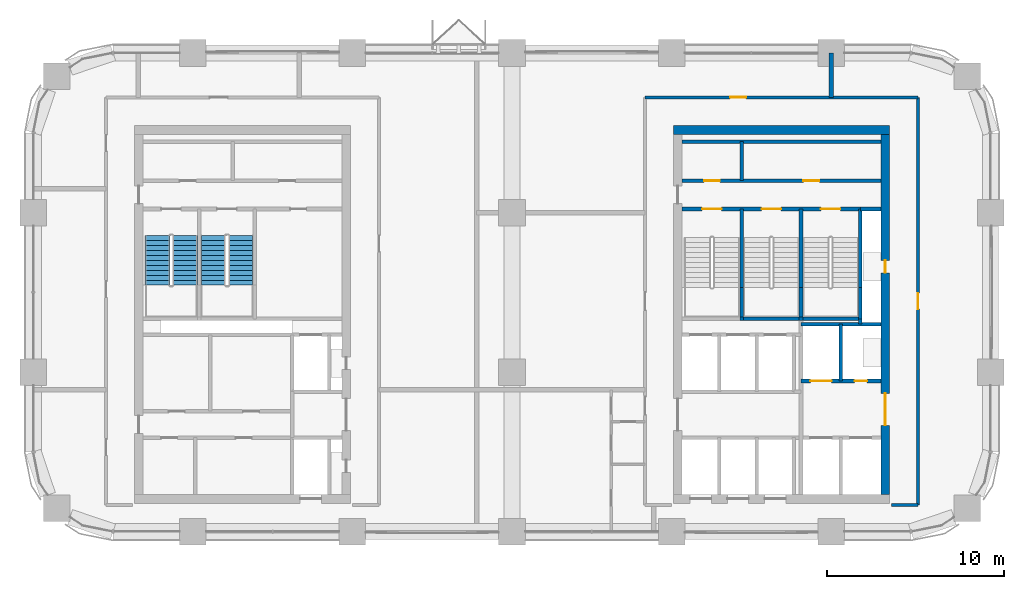
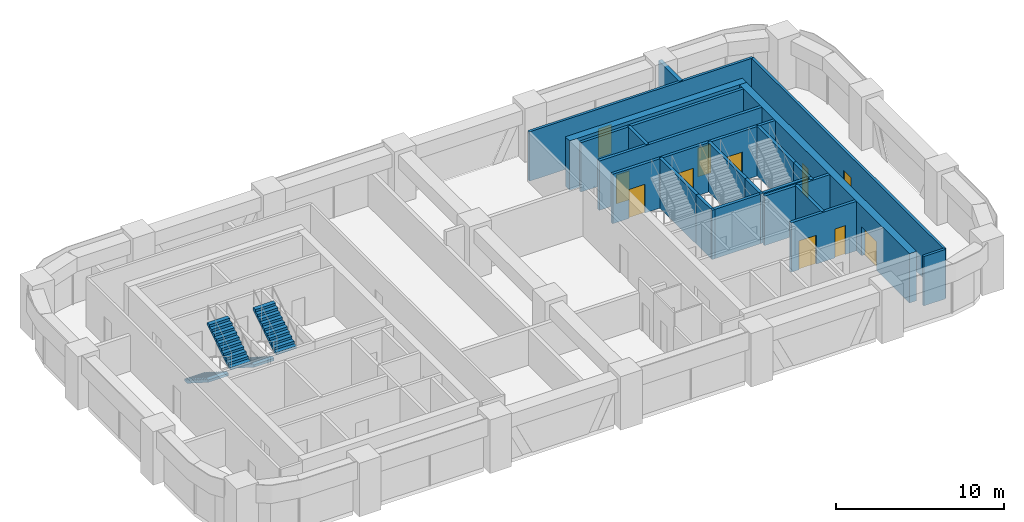
# One storey, part 11 of 14: 25 walls, 11 doors, 4 stair flights, 11 openings, 2 elements without a shape of their own.
"""IFC4 building model written with IfcOpenShell, lengths in metres."""

from ifc_helpers import new_model, si_unit, direction, frame, frame_2d, origin, place, context, subcontext, project, spatial, polyline, rectangle, outline, extrude, material, layer, layer_set, type_object, element, fill, aggregate, save


model = new_model("IFC4")

# Units and contexts
model_context = context("Model", 3, precision=1e-05, world=origin(), true_north=direction((0.0, 1.0)))
body_context = subcontext(model_context, "Body", "Model", "MODEL_VIEW")
ifc_project = project(units=[si_unit("LENGTHUNIT", "METRE"), si_unit("AREAUNIT", "SQUARE_METRE"), si_unit("VOLUMEUNIT", "CUBIC_METRE"), si_unit("PLANEANGLEUNIT", "RADIAN"), si_unit("MASSUNIT", "GRAM", prefix="KILO")], contexts=[model_context])

# Site, building, storey
site_placement = place(None, origin())
site = spatial("IfcSite", under=ifc_project, at=site_placement, CompositionType="ELEMENT")
building_placement = place(site_placement, origin())
building = spatial("IfcBuilding", under=site, at=building_placement, Name="Tessera Arch", CompositionType="ELEMENT")
storey_placement = place(building_placement, frame((0.0, 0.0, 177.800048828125)))
storey = spatial("IfcBuildingStorey", under=building, at=storey_placement, Name="L42", CompositionType="ELEMENT", Elevation=177.800048828125)

# Wall
ifc_material_1 = material(Name="Gypsum board on steel stud", Category="steel")
ifc_layer_1 = layer(ifc_material_1, 0.125)
ifc_layer_set_1 = layer_set([ifc_layer_1], Name="Core partition 125 EI 60")
wall_type_1 = type_object("IfcWallType", Name="Core partition 125 EI 60", PredefinedType="PARTITIONING", material=ifc_layer_set_1)
wall_1_placement = place(storey_placement, frame((39.9599609375, 46.800048828125, 0.0), z_axis=(0.0, 0.0, 1.0), x_axis=(0.0, 1.0, 0.0)))
element("IfcWall", 1, at=wall_1_placement, inside=storey, type_object=wall_type_1, Name="L42 C1 partition wall 5", PredefinedType="PARTITIONING", context=body_context, shape_type="SweptSolid", body=[
    extrude(rectangle(XDim=2.199951171875, YDim=0.199951171875, at=frame_2d((1.10009765625, 0.0))), origin(), (0.0, 0.0, 1.0), 3.599853515625),
])

# Wall, openings, doors
wall_2_placement = place(storey_placement, frame((36.60009765625, 46.800048828125, 0.0), z_axis=(0.0, 0.0, 1.0), x_axis=(1.0, 0.0, 0.0)))
wall_2 = element("IfcWall", 2, at=wall_2_placement, inside=storey, type_object=wall_type_1, Name="L42 C1 partition wall 31", PredefinedType="PARTITIONING", context=body_context, shape_type="SweptSolid", body=[
    extrude(rectangle(XDim=11.199951171875, YDim=0.199951171875, at=frame_2d((5.60009765625, 0.0))), origin(), (0.0, 0.0, 1.0), 3.599853515625),
])
opening_1_placement = place(wall_2_placement, frame((1.22998046875, 0.0, 0.0)))
opening_1 = element("IfcOpeningElement", 3, at=opening_1_placement, cuts=wall_2, Name="Opening L42-C18", PredefinedType="OPENING", context=body_context, shape_type="SweptSolid", body=[
    extrude(rectangle(XDim=0.89990234375, YDim=2.10009765625, at=frame_2d((0.449951171875, 1.050048828125))), frame((0.0, 0.10986328125, 0.0), z_axis=(0.0, -1.0, 0.0), x_axis=(1.0, 0.0, 0.0)), (0.0, 0.0, 1.0), 0.219970703125),
])
opening_2_placement = place(wall_2_placement, frame((6.830078125, 0.0, 0.0)))
opening_2 = element("IfcOpeningElement", 4, at=opening_2_placement, cuts=wall_2, Name="Opening L42-C19", PredefinedType="OPENING", context=body_context, shape_type="SweptSolid", body=[
    extrude(rectangle(XDim=0.89990234375, YDim=2.10009765625, at=frame_2d((0.449951171875, 1.050048828125))), frame((0.0, 0.10986328125, 0.0), z_axis=(0.0, -1.0, 0.0), x_axis=(1.0, 0.0, 0.0)), (0.0, 0.0, 1.0), 0.219970703125),
])
ifc_material_2 = material(Name="Steel door leaf", Category="steel")
door_type_1 = type_object("IfcDoorType", Name="Store door FD30S 900 x 2100", OperationType="SINGLE_SWING_LEFT", PredefinedType="DOOR", material=ifc_material_2)
door_1_placement = place(opening_1_placement, origin())
door_1 = element("IfcDoor", 5, at=door_1_placement, inside=storey, type_object=door_type_1, Name="L42 C1 door 18 C18 type D09", OperationType="SINGLE_SWING_LEFT", OverallHeight=2.10009765625, OverallWidth=0.89990234375, PredefinedType="DOOR", context=body_context, shape_type="SweptSolid", body=[
    extrude(rectangle(XDim=0.89990234375, YDim=2.10009765625, at=frame_2d((0.449951171875, 1.050048828125))), frame((0.0, 0.02490234375, 0.0), z_axis=(0.0, -1.0, 0.0), x_axis=(1.0, 0.0, 0.0)), (0.0, 0.0, 1.0), 0.050048828125),
])
fill(opening_1, door_1)
door_2_placement = place(opening_2_placement, origin())
door_2 = element("IfcDoor", 6, at=door_2_placement, inside=storey, type_object=door_type_1, Name="L42 C1 door 19 C19 type D09", OperationType="SINGLE_SWING_RIGHT", OverallHeight=2.10009765625, OverallWidth=0.89990234375, PredefinedType="DOOR", context=body_context, shape_type="SweptSolid", body=[
    extrude(rectangle(XDim=0.89990234375, YDim=2.10009765625, at=frame_2d((0.449951171875, 1.050048828125))), frame((0.0, 0.02490234375, 0.0), z_axis=(0.0, -1.0, 0.0), x_axis=(1.0, 0.0, 0.0)), (0.0, 0.0, 1.0), 0.050048828125),
])
fill(opening_2, door_2)

# Walls
wall_3_placement = place(storey_placement, frame((36.60009765625, 49.0, 0.0), z_axis=(0.0, 0.0, 1.0), x_axis=(1.0, 0.0, 0.0)))
element("IfcWall", 7, at=wall_3_placement, inside=storey, type_object=wall_type_1, Name="L42 C1 partition wall 32", PredefinedType="PARTITIONING", context=body_context, shape_type="SweptSolid", body=[
    extrude(rectangle(XDim=11.199951171875, YDim=0.199951171875, at=frame_2d((5.60009765625, 0.0))), origin(), (0.0, 0.0, 1.0), 3.599853515625),
])
ifc_material_3 = material(Name="Concrete C60/75", Category="concrete")
ifc_layer_2 = layer(ifc_material_3, 0.5)
ifc_layer_set_2 = layer_set([ifc_layer_2], Name="Core shell wall 500 C60-75")
wall_type_2 = type_object("IfcWallType", Name="Core shell wall 500 C60-75", PredefinedType="SHEAR", material=ifc_layer_set_2)
wall_4_placement = place(storey_placement, frame((36.10009765625, 49.64990234375, 0.0), z_axis=(0.0, 0.0, 1.0), x_axis=(1.0, 0.0, 0.0)))
element("IfcWall", 8, at=wall_4_placement, inside=storey, type_object=wall_type_2, Name="L42 C1 core wall N", PredefinedType="SHEAR", context=body_context, shape_type="SweptSolid", body=[
    extrude(rectangle(XDim=12.199951171875, YDim=0.5, at=frame_2d((6.10009765625, 0.0))), origin(), (0.0, 0.0, 1.0), 3.599853515625),
])

# Wall, openings, doors
wall_5_placement = place(storey_placement, frame((48.050048828125, 29.10009765625, 0.0), z_axis=(0.0, 0.0, 1.0), x_axis=(0.0, 1.0, 0.0)))
wall_5 = element("IfcWall", 9, at=wall_5_placement, inside=storey, type_object=wall_type_2, Name="L42 C1 core wall E", PredefinedType="SHEAR", context=body_context, shape_type="SweptSolid", body=[
    extrude(rectangle(XDim=20.2998046875, YDim=0.5, at=frame_2d((10.14990234375, 0.0))), origin(), (0.0, 0.0, 1.0), 3.599853515625),
])
opening_3_placement = place(wall_5_placement, frame((12.5, 0.0, 0.0)))
opening_3 = element("IfcOpeningElement", 10, at=opening_3_placement, cuts=wall_5, Name="Opening L42-C14", PredefinedType="OPENING", context=body_context, shape_type="SweptSolid", body=[
    extrude(rectangle(XDim=0.699951171875, YDim=2.10009765625, at=frame_2d((0.35009765625, 1.050048828125))), frame((0.0, 0.260009765625, 0.0), z_axis=(0.0, -1.0, 0.0), x_axis=(1.0, 0.0, 0.0)), (0.0, 0.0, 1.0), 0.52001953125),
])
opening_4_placement = place(wall_5_placement, frame((3.89990234375, 0.0, 0.0)))
opening_4 = element("IfcOpeningElement", 11, at=opening_4_placement, cuts=wall_5, Name="Opening L42-C15", PredefinedType="OPENING", context=body_context, shape_type="SweptSolid", body=[
    extrude(rectangle(XDim=1.800048828125, YDim=2.10009765625, at=frame_2d((0.89990234375, 1.050048828125))), frame((0.0, 0.260009765625, 0.0), z_axis=(0.0, -1.0, 0.0), x_axis=(1.0, 0.0, 0.0)), (0.0, 0.0, 1.0), 0.52001953125),
])
ifc_material_4 = material(Name="Glazed steel door leaf", Category="steel")
door_type_2 = type_object("IfcDoorType", Name="Lobby double door FD60 1800 x 2100", OperationType="DOUBLE_DOOR_SINGLE_SWING", PredefinedType="DOOR", material=ifc_material_4)
door_3_placement = place(opening_4_placement, origin())
door_3 = element("IfcDoor", 12, at=door_3_placement, inside=storey, type_object=door_type_2, Name="L42 C1 door 15 C15 type D19", OperationType="DOUBLE_DOOR_SINGLE_SWING", OverallHeight=2.10009765625, OverallWidth=1.800048828125, PredefinedType="DOOR", context=body_context, shape_type="SweptSolid", body=[
    extrude(rectangle(XDim=1.800048828125, YDim=2.10009765625, at=frame_2d((0.89990234375, 1.050048828125))), frame((0.0, 0.02490234375, 0.0), z_axis=(0.0, -1.0, 0.0), x_axis=(1.0, 0.0, 0.0)), (0.0, 0.0, 1.0), 0.050048828125),
])
fill(opening_4, door_3)
ifc_material_5 = material(Name="Steel door leaf", Category="steel")
door_type_3 = type_object("IfcDoorType", Name="Service shaft door FD60 700 x 2100", OperationType="SINGLE_SWING_LEFT", PredefinedType="DOOR", material=ifc_material_5)
door_4_placement = place(opening_3_placement, origin())
door_4 = element("IfcDoor", 13, at=door_4_placement, inside=storey, type_object=door_type_3, Name="L42 C1 door 14 C14 type D07", OperationType="SINGLE_SWING_RIGHT", OverallHeight=2.10009765625, OverallWidth=0.699951171875, PredefinedType="DOOR", context=body_context, shape_type="SweptSolid", body=[
    extrude(rectangle(XDim=0.699951171875, YDim=2.10009765625, at=frame_2d((0.35009765625, 1.050048828125))), frame((0.0, 0.02490234375, 0.0), z_axis=(0.0, -1.0, 0.0), x_axis=(1.0, 0.0, 0.0)), (0.0, 0.0, 1.0), 0.050048828125),
])
fill(opening_3, door_4)

# Wall
ifc_material_6 = material(Name="Gypsum board on deep steel stud with mineral wool", Category="steel")
ifc_layer_3 = layer(ifc_material_6, 0.175048828125)
ifc_layer_set_3 = layer_set([ifc_layer_3], Name="Corridor wall 175 EI 60")
wall_type_3 = type_object("IfcWallType", Name="Corridor wall 175 EI 60", PredefinedType="PARTITIONING", material=ifc_layer_set_3)
wall_6_placement = place(storey_placement, frame((48.39990234375, 28.5, 0.0), z_axis=(0.0, 0.0, 1.0), x_axis=(1.0, 0.0, 0.0)))
element("IfcWall", 14, at=wall_6_placement, inside=storey, type_object=wall_type_3, Name="L42 partition 4", PredefinedType="PARTITIONING", context=body_context, shape_type="SweptSolid", body=[
    extrude(rectangle(XDim=1.5, YDim=0.175048828125, at=frame_2d((0.75, 0.0))), origin(), (0.0, 0.0, 1.0), 3.599853515625),
])

# Wall, opening, door
wall_7_placement = place(storey_placement, frame((34.5, 51.5, 0.0), z_axis=(0.0, 0.0, 1.0), x_axis=(1.0, 0.0, 0.0)))
wall_7 = element("IfcWall", 15, at=wall_7_placement, inside=storey, type_object=wall_type_3, Name="L42 partition 6", PredefinedType="PARTITIONING", context=body_context, shape_type="SweptSolid", body=[
    extrude(rectangle(XDim=15.39990234375, YDim=0.175048828125, at=frame_2d((7.699951171875, 0.0))), origin(), (0.0, 0.0, 1.0), 3.599853515625),
])
opening_5_placement = place(wall_7_placement, frame((4.800048828125, 0.0, 0.0)))
opening_5 = element("IfcOpeningElement", 16, at=opening_5_placement, cuts=wall_7, Name="Opening L42-D012", PredefinedType="OPENING", context=body_context, shape_type="SweptSolid", body=[
    extrude(rectangle(XDim=0.89990234375, YDim=2.10009765625, at=frame_2d((0.449951171875, 1.050048828125))), frame((0.0, 0.097412109375, 0.0), z_axis=(0.0, -1.0, 0.0), x_axis=(1.0, 0.0, 0.0)), (0.0, 0.0, 1.0), 0.195068359375),
])
ifc_material_7 = material(Name="Timber door leaf", Category="wood")
door_type_4 = type_object("IfcDoorType", Name="Room door 900 x 2100", OperationType="SINGLE_SWING_LEFT", PredefinedType="DOOR", material=ifc_material_7)
door_5_placement = place(opening_5_placement, origin())
door_5 = element("IfcDoor", 17, at=door_5_placement, inside=storey, type_object=door_type_4, Name="L42 door D012 type D01", OperationType="SINGLE_SWING_RIGHT", OverallHeight=2.10009765625, OverallWidth=0.89990234375, PredefinedType="DOOR", context=body_context, shape_type="SweptSolid", body=[
    extrude(rectangle(XDim=0.89990234375, YDim=2.10009765625, at=frame_2d((0.449951171875, 1.050048828125))), frame((0.0, 0.02490234375, 0.0), z_axis=(0.0, -1.0, 0.0), x_axis=(1.0, 0.0, 0.0)), (0.0, 0.0, 1.0), 0.050048828125),
])
fill(opening_5, door_5)

wall_8_placement = place(storey_placement, frame((49.89990234375, 28.5, 0.0), z_axis=(0.0, 0.0, 1.0), x_axis=(0.0, 1.0, 0.0)))
wall_8 = element("IfcWall", 18, at=wall_8_placement, inside=storey, type_object=wall_type_3, Name="L42 partition 10", PredefinedType="PARTITIONING", context=body_context, shape_type="SweptSolid", body=[
    extrude(rectangle(XDim=23.0, YDim=0.175048828125, at=frame_2d((11.5, 0.0))), origin(), (0.0, 0.0, 1.0), 3.599853515625),
])
opening_6_placement = place(wall_8_placement, frame((11.050048828125, 0.0, 0.0)))
opening_6 = element("IfcOpeningElement", 19, at=opening_6_placement, cuts=wall_8, Name="Opening L42-D007", PredefinedType="OPENING", context=body_context, shape_type="SweptSolid", body=[
    extrude(rectangle(XDim=0.89990234375, YDim=2.10009765625, at=frame_2d((0.449951171875, 1.050048828125))), frame((0.0, 0.097412109375, 0.0), z_axis=(0.0, -1.0, 0.0), x_axis=(1.0, 0.0, 0.0)), (0.0, 0.0, 1.0), 0.195068359375),
])
door_6_placement = place(opening_6_placement, origin())
door_6 = element("IfcDoor", 20, at=door_6_placement, inside=storey, type_object=door_type_4, Name="L42 door D007 type D01", OperationType="SINGLE_SWING_RIGHT", OverallHeight=2.10009765625, OverallWidth=0.89990234375, PredefinedType="DOOR", context=body_context, shape_type="SweptSolid", body=[
    extrude(rectangle(XDim=0.89990234375, YDim=2.10009765625, at=frame_2d((0.449951171875, 1.050048828125))), frame((0.0, 0.02490234375, 0.0), z_axis=(0.0, -1.0, 0.0), x_axis=(1.0, 0.0, 0.0)), (0.0, 0.0, 1.0), 0.050048828125),
])
fill(opening_6, door_6)

# Walls
ifc_material_8 = material(Name="Double gypsum board on twin steel stud with acoustic mineral wool", Category="steel")
ifc_layer_4 = layer(ifc_material_8, 0.25)
ifc_layer_set_4 = layer_set([ifc_layer_4], Name="Party wall 250 EI 60")
wall_type_4 = type_object("IfcWallType", Name="Party wall 250 EI 60", PredefinedType="PARTITIONING", material=ifc_layer_set_4)
wall_9_placement = place(storey_placement, frame((45.0, 51.5, 0.0), z_axis=(0.0, 0.0, 1.0), x_axis=(0.0, 1.0, 0.0)))
element("IfcWall", 21, at=wall_9_placement, inside=storey, type_object=wall_type_4, Name="L42 partition 21", PredefinedType="PARTITIONING", context=body_context, shape_type="SweptSolid", body=[
    extrude(rectangle(XDim=2.5, YDim=0.25, at=frame_2d((1.25, 0.0))), origin(), (0.0, 0.0, 1.0), 3.599853515625),
])
ifc_material_9 = material(Name="Concrete C40/50", Category="concrete")
ifc_layer_5 = layer(ifc_material_9, 0.199951171875)
ifc_layer_set_5 = layer_set([ifc_layer_5], Name="Shaft wall 200 EI 120")
wall_type_5 = type_object("IfcWallType", Name="Shaft wall 200 EI 120", PredefinedType="SOLIDWALL", material=ifc_layer_set_5)
wall_10_placement = place(storey_placement, frame((45.550048828125, 35.5, 0.0), z_axis=(0.0, 0.0, 1.0), x_axis=(0.0, 1.0, 0.0)))
element("IfcWall", 22, at=wall_10_placement, inside=storey, type_object=wall_type_5, Name="L42 C1 shaft wall 14", PredefinedType="SOLIDWALL", context=body_context, shape_type="SweptSolid", body=[
    extrude(rectangle(XDim=3.199951171875, YDim=0.199951171875, at=frame_2d((1.60009765625, 0.0))), origin(), (0.0, 0.0, 1.0), 3.599853515625),
])
wall_11_placement = place(storey_placement, frame((46.64990234375, 38.699951171875, 0.0), z_axis=(0.0, 0.0, 1.0), x_axis=(0.0, 1.0, 0.0)))
element("IfcWall", 23, at=wall_11_placement, inside=storey, type_object=wall_type_5, Name="L42 C1 shaft wall 15", PredefinedType="SOLIDWALL", context=body_context, shape_type="SweptSolid", body=[
    extrude(rectangle(XDim=0.300048828125, YDim=0.199951171875, at=frame_2d((0.14990234375, 0.0))), origin(), (0.0, 0.0, 1.0), 3.599853515625),
])

# Wall, openings, doors
wall_12_placement = place(storey_placement, frame((43.300048828125, 35.5, 0.0), z_axis=(0.0, 0.0, 1.0), x_axis=(1.0, 0.0, 0.0)))
wall_12 = element("IfcWall", 24, at=wall_12_placement, inside=storey, type_object=wall_type_5, Name="L42 C1 shaft wall 21", PredefinedType="SOLIDWALL", context=body_context, shape_type="SweptSolid", body=[
    extrude(rectangle(XDim=4.5, YDim=0.199951171875, at=frame_2d((2.25, 0.0))), origin(), (0.0, 0.0, 1.0), 3.599853515625),
])
opening_7_placement = place(wall_12_placement, frame((0.52490234375, 0.0, 0.0)))
opening_7 = element("IfcOpeningElement", 25, at=opening_7_placement, cuts=wall_12, Name="Opening L42-C09", PredefinedType="OPENING", context=body_context, shape_type="SweptSolid", body=[
    extrude(rectangle(XDim=1.199951171875, YDim=2.10009765625, at=frame_2d((0.60009765625, 1.050048828125))), frame((0.0, 0.10986328125, 0.0), z_axis=(0.0, -1.0, 0.0), x_axis=(1.0, 0.0, 0.0)), (0.0, 0.0, 1.0), 0.219970703125),
])
opening_8_placement = place(wall_12_placement, frame((3.02490234375, 0.0, 0.0)))
opening_8 = element("IfcOpeningElement", 26, at=opening_8_placement, cuts=wall_12, Name="Opening L42-C16", PredefinedType="OPENING", context=body_context, shape_type="SweptSolid", body=[
    extrude(rectangle(XDim=0.699951171875, YDim=2.10009765625, at=frame_2d((0.35009765625, 1.050048828125))), frame((0.0, 0.10986328125, 0.0), z_axis=(0.0, -1.0, 0.0), x_axis=(1.0, 0.0, 0.0)), (0.0, 0.0, 1.0), 0.219970703125),
])
door_7_placement = place(opening_8_placement, origin())
door_7 = element("IfcDoor", 27, at=door_7_placement, inside=storey, type_object=door_type_3, Name="L42 C1 door 16 C16 type D07", OperationType="SINGLE_SWING_RIGHT", OverallHeight=2.10009765625, OverallWidth=0.699951171875, PredefinedType="DOOR", context=body_context, shape_type="SweptSolid", body=[
    extrude(rectangle(XDim=0.699951171875, YDim=2.10009765625, at=frame_2d((0.35009765625, 1.050048828125))), frame((0.0, 0.02490234375, 0.0), z_axis=(0.0, -1.0, 0.0), x_axis=(1.0, 0.0, 0.0)), (0.0, 0.0, 1.0), 0.050048828125),
])
fill(opening_8, door_7)
ifc_material_10 = material(Name="Stainless steel AISI 304", Category="steel")
door_type_5 = type_object("IfcDoorType", Name="Sliding landing door 1200 x 2100", OperationType="SLIDING_TO_LEFT", PredefinedType="DOOR", material=ifc_material_10)
door_8_placement = place(opening_7_placement, origin())
door_8 = element("IfcDoor", 28, at=door_8_placement, inside=storey, type_object=door_type_5, Name="L42 SV2 lift landing door C09 type LD", OperationType="SLIDING_TO_LEFT", OverallHeight=2.10009765625, OverallWidth=1.199951171875, PredefinedType="DOOR", context=body_context, shape_type="SweptSolid", body=[
    extrude(rectangle(XDim=1.199951171875, YDim=2.10009765625, at=frame_2d((0.60009765625, 1.050048828125))), frame((0.0, 0.02490234375, 0.0), z_axis=(0.0, -1.0, 0.0), x_axis=(1.0, 0.0, 0.0)), (0.0, 0.0, 1.0), 0.050048828125),
])
fill(opening_7, door_8)

# Walls
wall_13_placement = place(storey_placement, frame((43.300048828125, 38.699951171875, 0.0), z_axis=(0.0, 0.0, 1.0), x_axis=(1.0, 0.0, 0.0)))
element("IfcWall", 29, at=wall_13_placement, inside=storey, type_object=wall_type_5, Name="L42 C1 shaft wall 23", PredefinedType="SOLIDWALL", context=body_context, shape_type="SweptSolid", body=[
    extrude(rectangle(XDim=4.5, YDim=0.199951171875, at=frame_2d((2.25, 0.0))), origin(), (0.0, 0.0, 1.0), 3.599853515625),
])
wall_14_placement = place(storey_placement, frame((46.64990234375, 45.199951171875, 0.0), z_axis=(0.0, 0.0, 1.0), x_axis=(1.0, 0.0, 0.0)))
element("IfcWall", 30, at=wall_14_placement, inside=storey, type_object=wall_type_5, Name="L42 C1 shaft wall 29", PredefinedType="SOLIDWALL", context=body_context, shape_type="SweptSolid", body=[
    extrude(rectangle(XDim=1.150146484375, YDim=0.199951171875, at=frame_2d((0.5751953125, 0.0))), origin(), (0.0, 0.0, 1.0), 3.599853515625),
])
ifc_material_11 = material(Name="Concrete C40/50", Category="concrete")
ifc_layer_6 = layer(ifc_material_11, 0.199951171875)
ifc_layer_set_6 = layer_set([ifc_layer_6], Name="Stair well wall 200 REI 180")
wall_type_6 = type_object("IfcWallType", Name="Stair well wall 200 REI 180", PredefinedType="SOLIDWALL", material=ifc_layer_set_6)
wall_15_placement = place(storey_placement, frame((39.949951171875, 39.0, 0.0), z_axis=(0.0, 0.0, 1.0), x_axis=(0.0, 1.0, 0.0)))
element("IfcWall", 31, at=wall_15_placement, inside=storey, type_object=wall_type_6, Name="L42 C1 shaft wall 3", PredefinedType="SOLIDWALL", context=body_context, shape_type="SweptSolid", body=[
    extrude(rectangle(XDim=1.780029296875, YDim=0.199951171875, at=frame_2d((0.89013671875, 0.0))), origin(), (0.0, 0.0, 1.0), 3.599853515625),
])
wall_16_placement = place(storey_placement, frame((39.949951171875, 40.780029296875, 0.0), z_axis=(0.0, 0.0, 1.0), x_axis=(0.0, 1.0, 0.0)))
element("IfcWall", 32, at=wall_16_placement, inside=storey, type_object=wall_type_6, Name="L42 C1 shaft wall 4", PredefinedType="SOLIDWALL", context=body_context, shape_type="SweptSolid", body=[
    extrude(rectangle(XDim=4.419921875, YDim=0.199951171875, at=frame_2d((2.2099609375, 0.0))), origin(), (0.0, 0.0, 1.0), 3.599853515625),
])
wall_17_placement = place(storey_placement, frame((43.300048828125, 39.0, 0.0), z_axis=(0.0, 0.0, 1.0), x_axis=(0.0, 1.0, 0.0)))
element("IfcWall", 33, at=wall_17_placement, inside=storey, type_object=wall_type_6, Name="L42 C1 shaft wall 11", PredefinedType="SOLIDWALL", context=body_context, shape_type="SweptSolid", body=[
    extrude(rectangle(XDim=1.780029296875, YDim=0.199951171875, at=frame_2d((0.89013671875, 0.0))), origin(), (0.0, 0.0, 1.0), 3.599853515625),
])
wall_18_placement = place(storey_placement, frame((43.300048828125, 40.780029296875, 0.0), z_axis=(0.0, 0.0, 1.0), x_axis=(0.0, 1.0, 0.0)))
element("IfcWall", 34, at=wall_18_placement, inside=storey, type_object=wall_type_6, Name="L42 C1 shaft wall 12", PredefinedType="SOLIDWALL", context=body_context, shape_type="SweptSolid", body=[
    extrude(rectangle(XDim=4.419921875, YDim=0.199951171875, at=frame_2d((2.2099609375, 0.0))), origin(), (0.0, 0.0, 1.0), 3.599853515625),
])
wall_19_placement = place(storey_placement, frame((46.64990234375, 39.0, 0.0), z_axis=(0.0, 0.0, 1.0), x_axis=(0.0, 1.0, 0.0)))
element("IfcWall", 35, at=wall_19_placement, inside=storey, type_object=wall_type_6, Name="L42 C1 shaft wall 16", PredefinedType="SOLIDWALL", context=body_context, shape_type="SweptSolid", body=[
    extrude(rectangle(XDim=1.780029296875, YDim=0.199951171875, at=frame_2d((0.89013671875, 0.0))), origin(), (0.0, 0.0, 1.0), 3.599853515625),
])
wall_20_placement = place(storey_placement, frame((46.64990234375, 40.780029296875, 0.0), z_axis=(0.0, 0.0, 1.0), x_axis=(0.0, 1.0, 0.0)))
element("IfcWall", 36, at=wall_20_placement, inside=storey, type_object=wall_type_6, Name="L42 C1 shaft wall 17", PredefinedType="SOLIDWALL", context=body_context, shape_type="SweptSolid", body=[
    extrude(rectangle(XDim=4.419921875, YDim=0.199951171875, at=frame_2d((2.2099609375, 0.0))), origin(), (0.0, 0.0, 1.0), 3.599853515625),
])
wall_21_placement = place(storey_placement, frame((39.85009765625, 39.0, 0.0), z_axis=(0.0, 0.0, 1.0), x_axis=(1.0, 0.0, 0.0)))
element("IfcWall", 37, at=wall_21_placement, inside=storey, type_object=wall_type_6, Name="L42 C1 shaft wall 25", PredefinedType="SOLIDWALL", context=body_context, shape_type="SweptSolid", body=[
    extrude(rectangle(XDim=0.199951171875, YDim=0.199951171875, at=frame_2d((0.10009765625, 0.0))), origin(), (0.0, 0.0, 1.0), 3.599853515625),
])
wall_22_placement = place(storey_placement, frame((40.050048828125, 39.0, 0.0), z_axis=(0.0, 0.0, 1.0), x_axis=(1.0, 0.0, 0.0)))
element("IfcWall", 38, at=wall_22_placement, inside=storey, type_object=wall_type_6, Name="L42 C1 shaft wall 26", PredefinedType="SOLIDWALL", context=body_context, shape_type="SweptSolid", body=[
    extrude(rectangle(XDim=3.14990234375, YDim=0.199951171875, at=frame_2d((1.574951171875, 0.0))), origin(), (0.0, 0.0, 1.0), 3.599853515625),
])
wall_23_placement = place(storey_placement, frame((43.199951171875, 39.0, 0.0), z_axis=(0.0, 0.0, 1.0), x_axis=(1.0, 0.0, 0.0)))
element("IfcWall", 39, at=wall_23_placement, inside=storey, type_object=wall_type_6, Name="L42 C1 shaft wall 27", PredefinedType="SOLIDWALL", context=body_context, shape_type="SweptSolid", body=[
    extrude(rectangle(XDim=0.199951171875, YDim=0.199951171875, at=frame_2d((0.10009765625, 0.0))), origin(), (0.0, 0.0, 1.0), 3.599853515625),
])
wall_24_placement = place(storey_placement, frame((43.39990234375, 39.0, 0.0), z_axis=(0.0, 0.0, 1.0), x_axis=(1.0, 0.0, 0.0)))
element("IfcWall", 40, at=wall_24_placement, inside=storey, type_object=wall_type_6, Name="L42 C1 shaft wall 28", PredefinedType="SOLIDWALL", context=body_context, shape_type="SweptSolid", body=[
    extrude(rectangle(XDim=3.25, YDim=0.199951171875, at=frame_2d((1.625, 0.0))), origin(), (0.0, 0.0, 1.0), 3.599853515625),
])

# Wall, openings, doors
wall_25_placement = place(storey_placement, frame((36.60009765625, 45.199951171875, 0.0), z_axis=(0.0, 0.0, 1.0), x_axis=(1.0, 0.0, 0.0)))
wall_25 = element("IfcWall", 41, at=wall_25_placement, inside=storey, type_object=wall_type_6, Name="L42 C1 shaft wall 30", PredefinedType="SOLIDWALL", context=body_context, shape_type="SweptSolid", body=[
    extrude(rectangle(XDim=10.0498046875, YDim=0.199951171875, at=frame_2d((5.02490234375, 0.0))), origin(), (0.0, 0.0, 1.0), 3.599853515625),
])
opening_9_placement = place(wall_25_placement, frame((1.125, 0.0, 0.0)))
opening_9 = element("IfcOpeningElement", 42, at=opening_9_placement, cuts=wall_25, Name="Opening L42-C11", PredefinedType="OPENING", context=body_context, shape_type="SweptSolid", body=[
    extrude(rectangle(XDim=1.10009765625, YDim=2.10009765625, at=frame_2d((0.550048828125, 1.050048828125))), frame((0.0, 0.10986328125, 0.0), z_axis=(0.0, -1.0, 0.0), x_axis=(1.0, 0.0, 0.0)), (0.0, 0.0, 1.0), 0.219970703125),
])
opening_10_placement = place(wall_25_placement, frame((4.47509765625, 0.0, 0.0)))
opening_10 = element("IfcOpeningElement", 43, at=opening_10_placement, cuts=wall_25, Name="Opening L42-C12", PredefinedType="OPENING", context=body_context, shape_type="SweptSolid", body=[
    extrude(rectangle(XDim=1.10009765625, YDim=2.10009765625, at=frame_2d((0.550048828125, 1.050048828125))), frame((0.0, 0.10986328125, 0.0), z_axis=(0.0, -1.0, 0.0), x_axis=(1.0, 0.0, 0.0)), (0.0, 0.0, 1.0), 0.219970703125),
])
opening_11_placement = place(wall_25_placement, frame((7.824951171875, 0.0, 0.0)))
opening_11 = element("IfcOpeningElement", 44, at=opening_11_placement, cuts=wall_25, Name="Opening L42-C13", PredefinedType="OPENING", context=body_context, shape_type="SweptSolid", body=[
    extrude(rectangle(XDim=1.10009765625, YDim=2.10009765625, at=frame_2d((0.550048828125, 1.050048828125))), frame((0.0, 0.10986328125, 0.0), z_axis=(0.0, -1.0, 0.0), x_axis=(1.0, 0.0, 0.0)), (0.0, 0.0, 1.0), 0.219970703125),
])
ifc_material_12 = material(Name="Steel door leaf", Category="steel")
door_type_6 = type_object("IfcDoorType", Name="Stair door FD60 1100 x 2100", OperationType="SINGLE_SWING_LEFT", PredefinedType="DOOR", material=ifc_material_12)
door_9_placement = place(opening_9_placement, origin())
door_9 = element("IfcDoor", 45, at=door_9_placement, inside=storey, type_object=door_type_6, Name="L42 C1 door 11 C11 type D05", OperationType="SINGLE_SWING_LEFT", OverallHeight=2.10009765625, OverallWidth=1.10009765625, PredefinedType="DOOR", context=body_context, shape_type="SweptSolid", body=[
    extrude(rectangle(XDim=1.10009765625, YDim=2.10009765625, at=frame_2d((0.550048828125, 1.050048828125))), frame((0.0, 0.02490234375, 0.0), z_axis=(0.0, -1.0, 0.0), x_axis=(1.0, 0.0, 0.0)), (0.0, 0.0, 1.0), 0.050048828125),
])
fill(opening_9, door_9)
door_10_placement = place(opening_10_placement, origin())
door_10 = element("IfcDoor", 46, at=door_10_placement, inside=storey, type_object=door_type_6, Name="L42 C1 door 12 C12 type D05", OperationType="SINGLE_SWING_RIGHT", OverallHeight=2.10009765625, OverallWidth=1.10009765625, PredefinedType="DOOR", context=body_context, shape_type="SweptSolid", body=[
    extrude(rectangle(XDim=1.10009765625, YDim=2.10009765625, at=frame_2d((0.550048828125, 1.050048828125))), frame((0.0, 0.02490234375, 0.0), z_axis=(0.0, -1.0, 0.0), x_axis=(1.0, 0.0, 0.0)), (0.0, 0.0, 1.0), 0.050048828125),
])
fill(opening_10, door_10)
door_11_placement = place(opening_11_placement, origin())
door_11 = element("IfcDoor", 47, at=door_11_placement, inside=storey, type_object=door_type_6, Name="L42 C1 door 13 C13 type D05", OperationType="SINGLE_SWING_RIGHT", OverallHeight=2.10009765625, OverallWidth=1.10009765625, PredefinedType="DOOR", context=body_context, shape_type="SweptSolid", body=[
    extrude(rectangle(XDim=1.10009765625, YDim=2.10009765625, at=frame_2d((0.550048828125, 1.050048828125))), frame((0.0, 0.02490234375, 0.0), z_axis=(0.0, -1.0, 0.0), x_axis=(1.0, 0.0, 0.0)), (0.0, 0.0, 1.0), 0.050048828125),
])
fill(opening_11, door_11)

# Stair, stair flights
ifc_material_13 = material(Name="Concrete C40/50", Category="concrete")
stair_type = type_object("IfcStairType", Name="Dogleg stair 1400", PredefinedType="HALF_TURN_STAIR", material=ifc_material_13)
stair_1_placement = place(storey_placement, origin())
stair_1 = element("IfcStair", 48, at=stair_1_placement, inside=storey, type_object=stair_type, Name="L42 S2a", PredefinedType="HALF_TURN_STAIR")
ifc_material_14 = material(Name="Concrete C40/50", Category="concrete")
stair_flight_type = type_object("IfcStairFlightType", Name="Stair flight 1400", PredefinedType="STRAIGHT", material=ifc_material_14)
stair_flight_1_placement = place(storey_placement, frame((7.0, 43.699951171875, 0.0), z_axis=(0.0, 0.0, 1.0), x_axis=(0.0, -1.0, 0.0)))
stair_flight_1 = element("IfcStairFlight", 49, at=stair_flight_1_placement, type_object=stair_flight_type, Name="S2a flight 1", NumberOfRisers=11, NumberOfTreads=10, PredefinedType="STRAIGHT", RiserHeight=0.177272727, TreadLength=0.28, context=body_context, shape_type="SweptSolid", body=[
    extrude(outline(polyline([(0.0, 0.0), (0.0, 0.17724609375), (0.280029296875, 0.17724609375), (0.280029296875, 0.3544921875), (0.56005859375, 0.3544921875), (0.56005859375, 0.53173828125), (0.840087890625, 0.53173828125), (0.840087890625, 0.708984375), (1.1201171875, 0.708984375), (1.1201171875, 0.886474609375), (1.39990234375, 0.886474609375), (1.39990234375, 1.063720703125), (1.679931640625, 1.063720703125), (1.679931640625, 1.240966796875), (1.9599609375, 1.240966796875), (1.9599609375, 1.418212890625), (2.239990234375, 1.418212890625), (2.239990234375, 1.595458984375), (2.52001953125, 1.595458984375), (2.52001953125, 1.772705078125), (2.800048828125, 1.772705078125), (2.800048828125, 1.949951171875), (2.800048828125, 1.59521484375), (0.2802734375, 0.0), (0.0, 0.0)])), frame((0.0, 0.699951171875, 0.0), z_axis=(0.0, -1.0, 0.0), x_axis=(1.0, 0.0, 0.0)), (0.0, 0.0, 1.0), 1.39990234375),
])
stair_flight_2_placement = place(storey_placement, frame((8.550048828125, 40.89990234375, 1.949951171875), z_axis=(0.0, 0.0, 1.0), x_axis=(0.0, 1.0, 0.0)))
stair_flight_2 = element("IfcStairFlight", 50, at=stair_flight_2_placement, type_object=stair_flight_type, Name="S2a flight 2", NumberOfRisers=11, NumberOfTreads=10, PredefinedType="STRAIGHT", RiserHeight=0.177272727, TreadLength=0.28, context=body_context, shape_type="SweptSolid", body=[
    extrude(outline(polyline([(0.0, 0.0), (0.0, 0.17724609375), (0.280029296875, 0.17724609375), (0.280029296875, 0.3544921875), (0.56005859375, 0.3544921875), (0.56005859375, 0.53173828125), (0.840087890625, 0.53173828125), (0.840087890625, 0.708984375), (1.1201171875, 0.708984375), (1.1201171875, 0.886474609375), (1.39990234375, 0.886474609375), (1.39990234375, 1.063720703125), (1.679931640625, 1.063720703125), (1.679931640625, 1.240966796875), (1.9599609375, 1.240966796875), (1.9599609375, 1.418212890625), (2.239990234375, 1.418212890625), (2.239990234375, 1.595458984375), (2.52001953125, 1.595458984375), (2.52001953125, 1.772705078125), (2.800048828125, 1.772705078125), (2.800048828125, 1.949951171875), (2.800048828125, 1.59521484375), (0.2802734375, 0.0), (0.0, 0.0)])), frame((0.0, 0.699951171875, 0.0), z_axis=(0.0, -1.0, 0.0), x_axis=(1.0, 0.0, 0.0)), (0.0, 0.0, 1.0), 1.39990234375),
])
aggregate(stair_1, [stair_flight_1, stair_flight_2])

stair_2_placement = place(storey_placement, origin())
stair_2 = element("IfcStair", 51, at=stair_2_placement, inside=storey, type_object=stair_type, Name="L42 S2b", PredefinedType="HALF_TURN_STAIR")
stair_flight_3_placement = place(storey_placement, frame((10.14990234375, 43.699951171875, 0.0), z_axis=(0.0, 0.0, 1.0), x_axis=(0.0, -1.0, 0.0)))
stair_flight_3 = element("IfcStairFlight", 52, at=stair_flight_3_placement, type_object=stair_flight_type, Name="S2b flight 1", NumberOfRisers=11, NumberOfTreads=10, PredefinedType="STRAIGHT", RiserHeight=0.177272727, TreadLength=0.28, context=body_context, shape_type="SweptSolid", body=[
    extrude(outline(polyline([(0.0, 0.0), (0.0, 0.17724609375), (0.280029296875, 0.17724609375), (0.280029296875, 0.3544921875), (0.56005859375, 0.3544921875), (0.56005859375, 0.53173828125), (0.840087890625, 0.53173828125), (0.840087890625, 0.708984375), (1.1201171875, 0.708984375), (1.1201171875, 0.886474609375), (1.39990234375, 0.886474609375), (1.39990234375, 1.063720703125), (1.679931640625, 1.063720703125), (1.679931640625, 1.240966796875), (1.9599609375, 1.240966796875), (1.9599609375, 1.418212890625), (2.239990234375, 1.418212890625), (2.239990234375, 1.595458984375), (2.52001953125, 1.595458984375), (2.52001953125, 1.772705078125), (2.800048828125, 1.772705078125), (2.800048828125, 1.949951171875), (2.800048828125, 1.59521484375), (0.2802734375, 0.0), (0.0, 0.0)])), frame((0.0, 0.699951171875, 0.0), z_axis=(0.0, -1.0, 0.0), x_axis=(1.0, 0.0, 0.0)), (0.0, 0.0, 1.0), 1.39990234375),
])
stair_flight_4_placement = place(storey_placement, frame((11.699951171875, 40.89990234375, 1.949951171875), z_axis=(0.0, 0.0, 1.0), x_axis=(0.0, 1.0, 0.0)))
stair_flight_4 = element("IfcStairFlight", 53, at=stair_flight_4_placement, type_object=stair_flight_type, Name="S2b flight 2", NumberOfRisers=11, NumberOfTreads=10, PredefinedType="STRAIGHT", RiserHeight=0.177272727, TreadLength=0.28, context=body_context, shape_type="SweptSolid", body=[
    extrude(outline(polyline([(0.0, 0.0), (0.0, 0.17724609375), (0.280029296875, 0.17724609375), (0.280029296875, 0.3544921875), (0.56005859375, 0.3544921875), (0.56005859375, 0.53173828125), (0.840087890625, 0.53173828125), (0.840087890625, 0.708984375), (1.1201171875, 0.708984375), (1.1201171875, 0.886474609375), (1.39990234375, 0.886474609375), (1.39990234375, 1.063720703125), (1.679931640625, 1.063720703125), (1.679931640625, 1.240966796875), (1.9599609375, 1.240966796875), (1.9599609375, 1.418212890625), (2.239990234375, 1.418212890625), (2.239990234375, 1.595458984375), (2.52001953125, 1.595458984375), (2.52001953125, 1.772705078125), (2.800048828125, 1.772705078125), (2.800048828125, 1.949951171875), (2.800048828125, 1.59521484375), (0.2802734375, 0.0), (0.0, 0.0)])), frame((0.0, 0.699951171875, 0.0), z_axis=(0.0, -1.0, 0.0), x_axis=(1.0, 0.0, 0.0)), (0.0, 0.0, 1.0), 1.39990234375),
])
aggregate(stair_2, [stair_flight_3, stair_flight_4])

save(model, "model.ifc")
